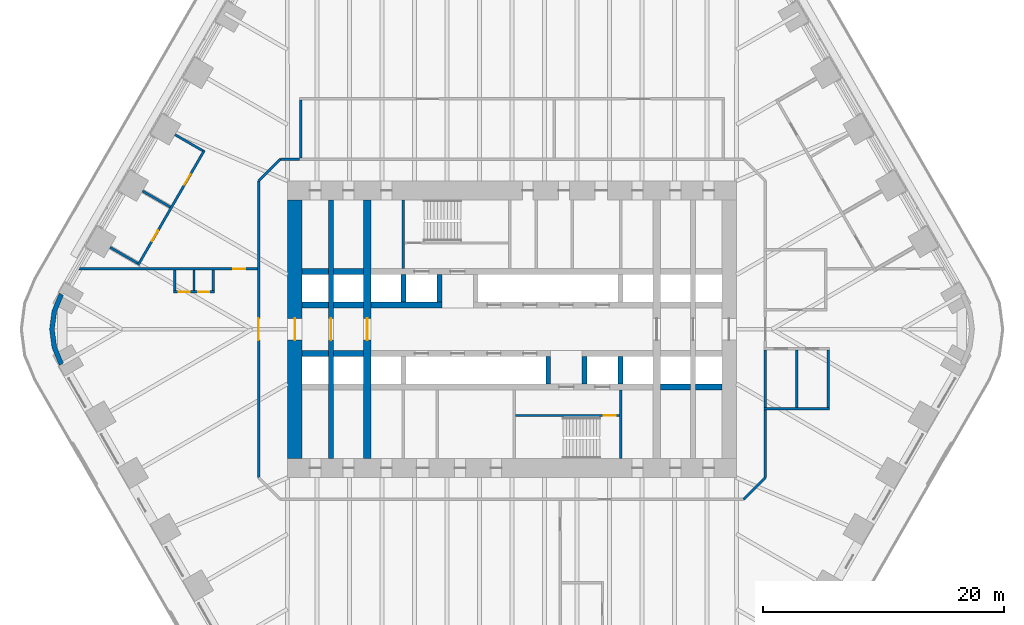
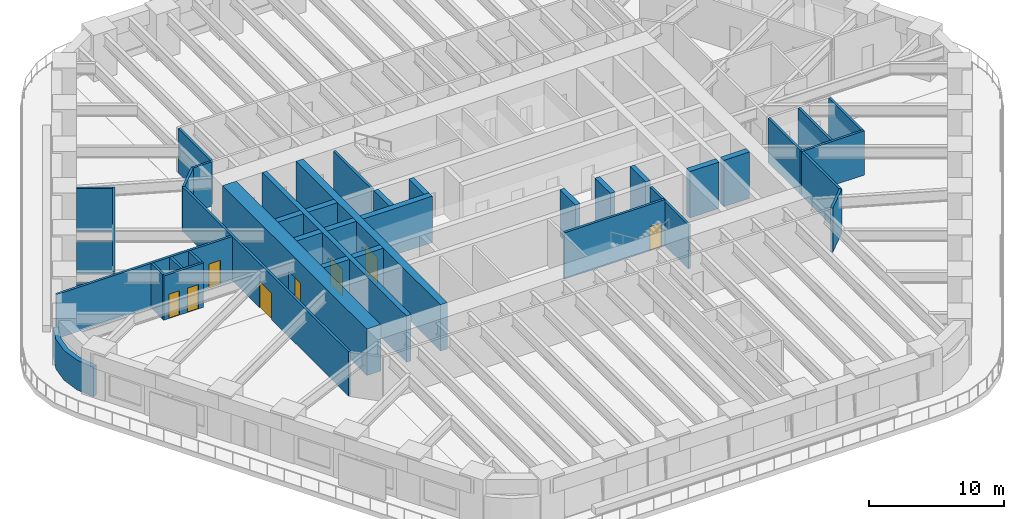
# One storey, part 17 of 23: 40 walls, 10 doors, 10 openings.
"""IFC4 building model written with IfcOpenShell, lengths in metres."""

from ifc_helpers import new_model, si_unit, direction, frame, frame_2d, origin, place, context, subcontext, project, spatial, polyline, rectangle, outline, extrude, material, layer, layer_set, type_object, element, fill, save


model = new_model("IFC4")

# Units and contexts
model_context = context("Model", 3, precision=1e-05, world=origin(), true_north=direction((0.0, 1.0)))
body_context = subcontext(model_context, "Body", "Model", "MODEL_VIEW")
ifc_project = project(units=[si_unit("LENGTHUNIT", "METRE"), si_unit("AREAUNIT", "SQUARE_METRE"), si_unit("VOLUMEUNIT", "CUBIC_METRE"), si_unit("PLANEANGLEUNIT", "RADIAN"), si_unit("MASSUNIT", "GRAM", prefix="KILO")], contexts=[model_context])

# Site, building, storey
site_placement = place(None, origin())
site = spatial("IfcSite", under=ifc_project, at=site_placement, CompositionType="ELEMENT")
building_placement = place(site_placement, origin())
building = spatial("IfcBuilding", under=site, at=building_placement, Name="Tarfa Lantern Tower", CompositionType="ELEMENT")
storey_placement = place(building_placement, frame((0.0, 0.0, 44.5)))
storey = spatial("IfcBuildingStorey", under=building, at=storey_placement, Name="L09", CompositionType="ELEMENT", Elevation=44.5)

# Walls
ifc_material_1 = material(Name="Limestone cladding on blockwork", Category="masonry")
ifc_layer_1 = layer(ifc_material_1, 0.39990234375)
ifc_layer_set_1 = layer_set([ifc_layer_1], Name="EW2 CURVED STONE CORNER 400")
wall_type_1 = type_object("IfcWallType", Name="EW2 CURVED STONE CORNER 400", PredefinedType="SOLIDWALL", material=ifc_layer_set_1)
wall_1_placement = place(storey_placement, origin())
element("IfcWall", 1, at=wall_1_placement, inside=storey, type_object=wall_type_1, Name="Stone corner NW-SW", PredefinedType="SOLIDWALL", context=body_context, shape_type="SweptSolid", body=[
    extrude(outline(polyline([(-37.52783203125, 3.0), (-38.127197265625, 1.552978515625), (-38.33154296875, 0.0), (-38.127197265625, -1.552978515625), (-37.52783203125, -3.0), (-37.181396484375, -2.800048828125), (-37.74072265625, -1.449462890625), (-37.931640625, 0.0), (-37.74072265625, 1.449462890625), (-37.181396484375, 2.800048828125), (-37.52783203125, 3.0)])), origin(), (0.0, 0.0, 1.0), 2.699951171875),
])
ifc_material_2 = material(Name="Concrete blockwork", Category="masonry")
ifc_layer_2 = layer(ifc_material_2, 0.199951171875)
ifc_layer_set_2 = layer_set([ifc_layer_2], Name="IW1 BLOCKWORK PARTITION 200 EI 120")
wall_type_2 = type_object("IfcWallType", Name="IW1 BLOCKWORK PARTITION 200 EI 120", PredefinedType="PARTITIONING", material=ifc_layer_set_2)
for number, where, z_axis, x_axis, name in (
    (2, (-9.0, 5.050048828125, 0.0), (0.0, 0.0, 1.0), (0.0, 1.0, 0.0), "Core partition"),
    (3, (9.0, -5.050048828125, 0.0), (0.0, 0.0, 1.0), (0.0, -1.0, 0.0), "Core partition"),
):
    element("IfcWall", number, at=place(storey_placement, frame(where, z_axis=z_axis, x_axis=x_axis)), inside=storey, type_object=wall_type_2, Name=name, PredefinedType="PARTITIONING", context=body_context, shape_type="SweptSolid", body=[
        extrude(rectangle(XDim=5.64990234375, YDim=0.199951171875, at=frame_2d((2.824951171875, 0.0))), origin(), (0.0, 0.0, 1.0), 4.0),
    ])
ifc_material_3 = material(Name="Gypsum board on steel studs", Category="steel")
ifc_layer_3 = layer(ifc_material_3, 0.2099609375)
ifc_layer_set_3 = layer_set([ifc_layer_3], Name="IW2 ACOUSTIC PARTITION 200")
wall_type_3 = type_object("IfcWallType", Name="IW2 ACOUSTIC PARTITION 200", PredefinedType="PARTITIONING", material=ifc_layer_set_3)
wall_2_placement = place(storey_placement, frame((-17.5, 14.199951171875, 0.0), z_axis=(0.0, 0.0, 1.0), x_axis=(0.0, 1.0, 0.0)))
element("IfcWall", 4, at=wall_2_placement, inside=storey, type_object=wall_type_3, Name="Partition", PredefinedType="PARTITIONING", context=body_context, shape_type="SweptSolid", body=[
    extrude(rectangle(XDim=4.800048828125, YDim=0.199951171875, at=frame_2d((2.39990234375, 0.0))), origin(), (0.0, 0.0, 1.0), 4.0),
])

# Wall, openings, doors
wall_3_placement = place(storey_placement, frame((-25.497802734375, 14.836669921875, 0.0), z_axis=(0.0, 0.0, 1.0), x_axis=(-0.499992624997, -0.866029661703, 0.0)))
wall_3 = element("IfcWall", 5, at=wall_3_placement, inside=storey, type_object=wall_type_3, Name="Partition", PredefinedType="PARTITIONING", context=body_context, shape_type="SweptSolid", body=[
    extrude(rectangle(XDim=10.977294921875, YDim=0.199951171875, at=frame_2d((5.48876953125, 0.0))), origin(), (0.0, 0.0, 1.0), 4.0),
])
opening_1_placement = place(wall_3_placement, frame((2.294189453125, 0.0, 0.0)))
opening_1 = element("IfcOpeningElement", 6, at=opening_1_placement, cuts=wall_3, Name="Opening D35", PredefinedType="OPENING", context=body_context, shape_type="SweptSolid", body=[
    extrude(rectangle(XDim=1.0, YDim=2.199951171875, at=frame_2d((0.5, 1.10009765625))), frame((0.0, 0.10986328125, 0.0), z_axis=(0.0, -1.0, 0.0), x_axis=(1.0, 0.0, 0.0)), (0.0, 0.0, 1.0), 0.219970703125),
])
opening_2_placement = place(wall_3_placement, frame((7.682861328125, 0.0, 0.0)))
opening_2 = element("IfcOpeningElement", 7, at=opening_2_placement, cuts=wall_3, Name="Opening D36", PredefinedType="OPENING", context=body_context, shape_type="SweptSolid", body=[
    extrude(rectangle(XDim=1.0, YDim=2.199951171875, at=frame_2d((0.5, 1.10009765625))), frame((0.0, 0.10986328125, 0.0), z_axis=(0.0, -1.0, 0.0), x_axis=(1.0, 0.0, 0.0)), (0.0, 0.0, 1.0), 0.219970703125),
])
ifc_material_4 = material(Name="Timber door", Category="wood")
door_type_1 = type_object("IfcDoorType", Name="DR1 ROOM DOOR 1000x2200", OperationType="SINGLE_SWING_LEFT", PredefinedType="DOOR", material=ifc_material_4)
door_1_placement = place(opening_1_placement, frame((1.0, 0.0, 0.0), z_axis=(0.0, 0.0, 1.0), x_axis=(-1.0, 0.0, 0.0)))
door_1 = element("IfcDoor", 8, at=door_1_placement, inside=storey, type_object=door_type_1, Name="Store door", OperationType="SINGLE_SWING_LEFT", OverallHeight=2.199951171875, OverallWidth=1.0, PredefinedType="DOOR", context=body_context, shape_type="SweptSolid", body=[
    extrude(rectangle(XDim=1.0, YDim=2.199951171875, at=frame_2d((0.5, 1.10009765625))), frame((0.0, 0.02490234375, 0.0), z_axis=(0.0, -1.0, 0.0), x_axis=(1.0, 0.0, 0.0)), (0.0, 0.0, 1.0), 0.050048828125),
])
fill(opening_1, door_1)
door_2_placement = place(opening_2_placement, frame((1.0, 0.0, 0.0), z_axis=(0.0, 0.0, 1.0), x_axis=(-1.0, 0.0, 0.0)))
door_2 = element("IfcDoor", 9, at=door_2_placement, inside=storey, type_object=door_type_1, Name="Print room door", OperationType="SINGLE_SWING_RIGHT", OverallHeight=2.199951171875, OverallWidth=1.0, PredefinedType="DOOR", context=body_context, shape_type="SweptSolid", body=[
    extrude(rectangle(XDim=1.0, YDim=2.199951171875, at=frame_2d((0.5, 1.10009765625))), frame((0.0, 0.02490234375, 0.0), z_axis=(0.0, -1.0, 0.0), x_axis=(1.0, 0.0, 0.0)), (0.0, 0.0, 1.0), 0.050048828125),
])
fill(opening_2, door_2)

# Walls
wall_4_placement = place(storey_placement, frame((-25.63427734375, 14.800048828125, 0.0), z_axis=(0.0, 0.0, 1.0), x_axis=(-0.866029095148, 0.499993606316, 0.0)))
element("IfcWall", 10, at=wall_4_placement, inside=storey, type_object=wall_type_3, Name="Partition", PredefinedType="PARTITIONING", context=body_context, shape_type="SweptSolid", body=[
    extrude(rectangle(XDim=2.64990234375, YDim=0.199951171875, at=frame_2d((1.324951171875, 0.0))), origin(), (0.0, 0.0, 1.0), 4.0),
])
wall_5_placement = place(storey_placement, frame((-28.32861328125, 10.13330078125, 0.0), z_axis=(0.0, 0.0, 1.0), x_axis=(-0.866029095148, 0.499993606316, 0.0)))
element("IfcWall", 11, at=wall_5_placement, inside=storey, type_object=wall_type_3, Name="Partition", PredefinedType="PARTITIONING", context=body_context, shape_type="SweptSolid", body=[
    extrude(rectangle(XDim=2.64990234375, YDim=0.199951171875, at=frame_2d((1.324951171875, 0.0))), origin(), (0.0, 0.0, 1.0), 2.944091796875),
])
wall_6_placement = place(storey_placement, frame((-31.02294921875, 5.466552734375, 0.0), z_axis=(0.0, 0.0, 1.0), x_axis=(-0.865989200783, 0.500062700197, 0.0)))
element("IfcWall", 12, at=wall_6_placement, inside=storey, type_object=wall_type_3, Name="Partition", PredefinedType="PARTITIONING", context=body_context, shape_type="SweptSolid", body=[
    extrude(rectangle(XDim=2.650146484375, YDim=0.199951171875, at=frame_2d((1.3251953125, 0.0))), origin(), (0.0, 0.0, 1.0), 2.944091796875),
])
wall_7_placement = place(storey_placement, frame((20.89990234375, -6.60009765625, 0.0), z_axis=(0.0, 0.0, 1.0), x_axis=(1.0, 0.0, 0.0)))
element("IfcWall", 13, at=wall_7_placement, inside=storey, type_object=wall_type_3, Name="Partition", PredefinedType="PARTITIONING", context=body_context, shape_type="SweptSolid", body=[
    extrude(rectangle(XDim=5.400146484375, YDim=0.199951171875, at=frame_2d((2.7001953125, 0.0))), origin(), (0.0, 0.0, 1.0), 4.0),
])
for number, where, z_axis, x_axis, name in (
    (14, (21.0, -1.699951171875, 0.0), (0.0, 0.0, 1.0), (0.0, -1.0, 0.0), "Partition"),
    (15, (23.60009765625, -1.699951171875, 0.0), (0.0, 0.0, 1.0), (0.0, -1.0, 0.0), "Partition"),
    (16, (26.199951171875, -1.699951171875, 0.0), (0.0, 0.0, 1.0), (0.0, -1.0, 0.0), "Partition"),
):
    element("IfcWall", number, at=place(storey_placement, frame(where, z_axis=z_axis, x_axis=x_axis)), inside=storey, type_object=wall_type_3, Name=name, PredefinedType="PARTITIONING", context=body_context, shape_type="SweptSolid", body=[
        extrude(rectangle(XDim=4.800048828125, YDim=0.199951171875, at=frame_2d((2.39990234375, 0.0))), origin(), (0.0, 0.0, 1.0), 4.0),
    ])
wall_8_placement = place(storey_placement, frame((-19.199951171875, 14.10009765625, 0.0), z_axis=(0.0, 0.0, 1.0), x_axis=(1.0, 0.0, 0.0)))
element("IfcWall", 17, at=wall_8_placement, inside=storey, type_object=wall_type_3, Name="Partition", PredefinedType="PARTITIONING", context=body_context, shape_type="SweptSolid", body=[
    extrude(rectangle(XDim=1.599853515625, YDim=0.199951171875, at=frame_2d((0.7998046875, 0.0))), origin(), (0.0, 0.0, 1.0), 4.0),
])
wall_9_placement = place(storey_placement, frame((21.0, -6.700927734375, 0.0), z_axis=(0.0, 0.0, 1.0), x_axis=(0.0, -1.0, 0.0)))
element("IfcWall", 18, at=wall_9_placement, inside=storey, type_object=wall_type_3, Name="Partition", PredefinedType="PARTITIONING", context=body_context, shape_type="SweptSolid", body=[
    extrude(rectangle(XDim=5.59912109375, YDim=0.199951171875, at=frame_2d((2.799560546875, 0.0))), origin(), (0.0, 0.0, 1.0), 4.0),
])
wall_10_placement = place(storey_placement, frame((21.0, -12.300048828125, 0.0), z_axis=(0.0, 0.0, 1.0), x_axis=(-0.707106781187, -0.707106781187, 0.0)))
element("IfcWall", 19, at=wall_10_placement, inside=storey, type_object=wall_type_3, Name="Partition", PredefinedType="PARTITIONING", context=body_context, shape_type="SweptSolid", body=[
    extrude(rectangle(XDim=2.545654296875, YDim=0.199951171875, at=frame_2d((1.27294921875, 0.0))), origin(), (0.0, 0.0, 1.0), 4.0),
])

# Wall, opening, door
wall_11_placement = place(storey_placement, frame((-21.0, -12.300048828125, 0.0), z_axis=(0.0, 0.0, 1.0), x_axis=(0.0, 1.0, 0.0)))
wall_11 = element("IfcWall", 20, at=wall_11_placement, inside=storey, type_object=wall_type_3, Name="Partition", PredefinedType="PARTITIONING", context=body_context, shape_type="SweptSolid", body=[
    extrude(rectangle(XDim=24.60009765625, YDim=0.199951171875, at=frame_2d((12.300048828125, 0.0))), origin(), (0.0, 0.0, 1.0), 4.0),
])
opening_3_placement = place(wall_11_placement, frame((11.39990234375, 0.0, 0.0)))
opening_3 = element("IfcOpeningElement", 21, at=opening_3_placement, cuts=wall_11, Name="Opening D45", PredefinedType="OPENING", context=body_context, shape_type="SweptSolid", body=[
    extrude(rectangle(XDim=1.800048828125, YDim=2.39990234375, at=frame_2d((0.89990234375, 1.199951171875))), frame((0.0, 0.10986328125, 0.0), z_axis=(0.0, -1.0, 0.0), x_axis=(1.0, 0.0, 0.0)), (0.0, 0.0, 1.0), 0.219970703125),
])
door_type_2 = type_object("IfcDoorType", Name="DR2 ROOM DOOR 1800x2400", OperationType="DOUBLE_DOOR_SINGLE_SWING", PredefinedType="DOOR", material=ifc_material_4)
door_3_placement = place(opening_3_placement, origin())
door_3 = element("IfcDoor", 22, at=door_3_placement, inside=storey, type_object=door_type_2, Name="Corridor door", OperationType="DOUBLE_DOOR_SINGLE_SWING", OverallHeight=2.39990234375, OverallWidth=1.800048828125, PredefinedType="DOOR", context=body_context, shape_type="SweptSolid", body=[
    extrude(rectangle(XDim=1.800048828125, YDim=2.39990234375, at=frame_2d((0.89990234375, 1.199951171875))), frame((0.0, 0.02490234375, 0.0), z_axis=(0.0, -1.0, 0.0), x_axis=(1.0, 0.0, 0.0)), (0.0, 0.0, 1.0), 0.050048828125),
])
fill(opening_3, door_3)

# Wall
wall_12_placement = place(storey_placement, frame((-21.0, 12.300048828125, 0.0), z_axis=(0.0, 0.0, 1.0), x_axis=(0.707106781187, 0.707106781187, 0.0)))
element("IfcWall", 23, at=wall_12_placement, inside=storey, type_object=wall_type_3, Name="Partition", PredefinedType="PARTITIONING", context=body_context, shape_type="SweptSolid", body=[
    extrude(rectangle(XDim=2.545654296875, YDim=0.199951171875, at=frame_2d((1.27294921875, 0.0))), origin(), (0.0, 0.0, 1.0), 4.0),
])

# Wall, opening, door
wall_13_placement = place(storey_placement, frame((-21.10009765625, 5.0, 0.0), z_axis=(0.0, 0.0, 1.0), x_axis=(-1.0, 0.0, 0.0)))
wall_13 = element("IfcWall", 24, at=wall_13_placement, inside=storey, type_object=wall_type_3, Name="Partition", PredefinedType="PARTITIONING", context=body_context, shape_type="SweptSolid", body=[
    extrude(rectangle(XDim=15.018798828125, YDim=0.199951171875, at=frame_2d((7.50927734375, 0.0))), origin(), (0.0, 0.0, 1.0), 4.0),
])
opening_4_placement = place(wall_13_placement, frame((1.001953125, 0.0, 0.0)))
opening_4 = element("IfcOpeningElement", 25, at=opening_4_placement, cuts=wall_13, Name="Opening D48", PredefinedType="OPENING", context=body_context, shape_type="SweptSolid", body=[
    extrude(rectangle(XDim=1.0, YDim=2.199951171875, at=frame_2d((0.5, 1.10009765625))), frame((0.0, 0.10986328125, 0.0), z_axis=(0.0, -1.0, 0.0), x_axis=(1.0, 0.0, 0.0)), (0.0, 0.0, 1.0), 0.219970703125),
])
door_4_placement = place(opening_4_placement, origin())
door_4 = element("IfcDoor", 26, at=door_4_placement, inside=storey, type_object=door_type_1, Name="Zone door", OperationType="SINGLE_SWING_RIGHT", OverallHeight=2.199951171875, OverallWidth=1.0, PredefinedType="DOOR", context=body_context, shape_type="SweptSolid", body=[
    extrude(rectangle(XDim=1.0, YDim=2.199951171875, at=frame_2d((0.5, 1.10009765625))), frame((0.0, 0.02490234375, 0.0), z_axis=(0.0, -1.0, 0.0), x_axis=(1.0, 0.0, 0.0)), (0.0, 0.0, 1.0), 0.050048828125),
])
fill(opening_4, door_4)

# Wall, openings, doors
wall_14_placement = place(storey_placement, frame((-24.65673828125, 3.10009765625, 0.0), z_axis=(0.0, 0.0, 1.0), x_axis=(-1.0, 0.0, 0.0)))
wall_14 = element("IfcWall", 27, at=wall_14_placement, inside=storey, type_object=wall_type_3, Name="Partition", PredefinedType="PARTITIONING", context=body_context, shape_type="SweptSolid", body=[
    extrude(rectangle(XDim=3.39990234375, YDim=0.199951171875, at=frame_2d((1.699951171875, 0.0))), origin(), (0.0, 0.0, 1.0), 4.0),
])
opening_5_placement = place(wall_14_placement, frame((0.449951171875, 0.0, 0.0)))
opening_5 = element("IfcOpeningElement", 28, at=opening_5_placement, cuts=wall_14, Name="Opening D41", PredefinedType="OPENING", context=body_context, shape_type="SweptSolid", body=[
    extrude(rectangle(XDim=0.89990234375, YDim=2.199951171875, at=frame_2d((0.449951171875, 1.10009765625))), frame((0.0, 0.10986328125, 0.0), z_axis=(0.0, -1.0, 0.0), x_axis=(1.0, 0.0, 0.0)), (0.0, 0.0, 1.0), 0.219970703125),
])
opening_6_placement = place(wall_14_placement, frame((2.050048828125, 0.0, 0.0)))
opening_6 = element("IfcOpeningElement", 29, at=opening_6_placement, cuts=wall_14, Name="Opening D42", PredefinedType="OPENING", context=body_context, shape_type="SweptSolid", body=[
    extrude(rectangle(XDim=0.89990234375, YDim=2.199951171875, at=frame_2d((0.449951171875, 1.10009765625))), frame((0.0, 0.10986328125, 0.0), z_axis=(0.0, -1.0, 0.0), x_axis=(1.0, 0.0, 0.0)), (0.0, 0.0, 1.0), 0.219970703125),
])
door_type_3 = type_object("IfcDoorType", Name="DR3 ROOM DOOR 900x2200", OperationType="SINGLE_SWING_LEFT", PredefinedType="DOOR", material=ifc_material_4)
door_5_placement = place(opening_5_placement, frame((0.89990234375, 0.0, 0.0), z_axis=(0.0, 0.0, 1.0), x_axis=(-1.0, 0.0, 0.0)))
door_5 = element("IfcDoor", 30, at=door_5_placement, inside=storey, type_object=door_type_3, Name="Phone booth door", OperationType="SINGLE_SWING_LEFT", OverallHeight=2.199951171875, OverallWidth=0.89990234375, PredefinedType="DOOR", context=body_context, shape_type="SweptSolid", body=[
    extrude(rectangle(XDim=0.89990234375, YDim=2.199951171875, at=frame_2d((0.449951171875, 1.10009765625))), frame((0.0, 0.02490234375, 0.0), z_axis=(0.0, -1.0, 0.0), x_axis=(1.0, 0.0, 0.0)), (0.0, 0.0, 1.0), 0.050048828125),
])
fill(opening_5, door_5)
door_6_placement = place(opening_6_placement, frame((0.89990234375, 0.0, 0.0), z_axis=(0.0, 0.0, 1.0), x_axis=(-1.0, 0.0, 0.0)))
door_6 = element("IfcDoor", 31, at=door_6_placement, inside=storey, type_object=door_type_3, Name="Phone booth door", OperationType="SINGLE_SWING_RIGHT", OverallHeight=2.199951171875, OverallWidth=0.89990234375, PredefinedType="DOOR", context=body_context, shape_type="SweptSolid", body=[
    extrude(rectangle(XDim=0.89990234375, YDim=2.199951171875, at=frame_2d((0.449951171875, 1.10009765625))), frame((0.0, 0.02490234375, 0.0), z_axis=(0.0, -1.0, 0.0), x_axis=(1.0, 0.0, 0.0)), (0.0, 0.0, 1.0), 0.050048828125),
])
fill(opening_6, door_6)

# Walls
for number, where, z_axis, x_axis, name in (
    (32, (-24.756591796875, 4.89990234375, 0.0), (0.0, 0.0, 1.0), (0.0, -1.0, 0.0), "Partition"),
    (33, (-26.356689453125, 4.89990234375, 0.0), (0.0, 0.0, 1.0), (0.0, -1.0, 0.0), "Partition"),
    (34, (-27.95654296875, 4.89990234375, 0.0), (0.0, 0.0, 1.0), (0.0, -1.0, 0.0), "Partition"),
):
    element("IfcWall", number, at=place(storey_placement, frame(where, z_axis=z_axis, x_axis=x_axis)), inside=storey, type_object=wall_type_3, Name=name, PredefinedType="PARTITIONING", context=body_context, shape_type="SweptSolid", body=[
        extrude(rectangle(XDim=1.699951171875, YDim=0.199951171875, at=frame_2d((0.85009765625, 0.0))), origin(), (0.0, 0.0, 1.0), 4.0),
    ])

# Wall, opening, door
ifc_material_5 = material(Name="Concrete C80/95", Category="concrete")
ifc_layer_4 = layer(ifc_material_5, 1.199951171875)
ifc_layer_set_4 = layer_set([ifc_layer_4], Name="SW1 CORE WALL 1200")
wall_type_4 = type_object("IfcWallType", Name="SW1 CORE WALL 1200", PredefinedType="SHEAR", material=ifc_layer_set_4)
wall_15_placement = place(storey_placement, frame((-18.0, 10.699951171875, 0.0), z_axis=(0.0, 0.0, 1.0), x_axis=(0.0, -1.0, 0.0)))
wall_15 = element("IfcWall", 35, at=wall_15_placement, inside=storey, type_object=wall_type_4, Name="Core wall W", PredefinedType="SHEAR", context=body_context, shape_type="SweptSolid", body=[
    extrude(rectangle(XDim=21.39990234375, YDim=1.199951171875, at=frame_2d((10.699951171875, 0.0))), origin(), (0.0, 0.0, 1.0), 4.199951171875),
])
opening_7_placement = place(wall_15_placement, frame((9.800048828125, 0.0, 0.0)))
opening_7 = element("IfcOpeningElement", 36, at=opening_7_placement, cuts=wall_15, Name="Opening D16", PredefinedType="OPENING", context=body_context, shape_type="SweptSolid", body=[
    extrude(rectangle(XDim=1.800048828125, YDim=2.39990234375, at=frame_2d((0.89990234375, 1.199951171875))), frame((0.0, 0.60986328125, 0.0), z_axis=(0.0, -1.0, 0.0), x_axis=(1.0, 0.0, 0.0)), (0.0, 0.0, 1.0), 1.219970703125),
])
ifc_material_6 = material(Name="Steel fire door", Category="steel")
door_type_4 = type_object("IfcDoorType", Name="DL1 LOBBY DOOR 1800x2400", OperationType="DOUBLE_DOOR_SINGLE_SWING", PredefinedType="DOOR", material=ifc_material_6)
door_7_placement = place(opening_7_placement, frame((1.800048828125, 0.0, 0.0), z_axis=(0.0, 0.0, 1.0), x_axis=(-1.0, 0.0, 0.0)))
door_7 = element("IfcDoor", 37, at=door_7_placement, inside=storey, type_object=door_type_4, Name="Lift lobby door", OperationType="DOUBLE_DOOR_SINGLE_SWING", OverallHeight=2.39990234375, OverallWidth=1.800048828125, PredefinedType="DOOR", context=body_context, shape_type="SweptSolid", body=[
    extrude(rectangle(XDim=1.800048828125, YDim=2.39990234375, at=frame_2d((0.89990234375, 1.199951171875))), frame((0.0, 0.02490234375, 0.0), z_axis=(0.0, -1.0, 0.0), x_axis=(1.0, 0.0, 0.0)), (0.0, 0.0, 1.0), 0.050048828125),
])
fill(opening_7, door_7)

ifc_layer_5 = layer(ifc_material_5, 0.199951171875)
ifc_layer_set_5 = layer_set([ifc_layer_5], Name="SW12 CORE WALL 200")
wall_type_5 = type_object("IfcWallType", Name="SW12 CORE WALL 200", PredefinedType="SHEAR", material=ifc_layer_set_5)
wall_16_placement = place(storey_placement, frame((8.89990234375, -7.14990234375, 0.0), z_axis=(0.0, 0.0, 1.0), x_axis=(-1.0, 0.0, 0.0)))
wall_16 = element("IfcWall", 38, at=wall_16_placement, inside=storey, type_object=wall_type_5, Name="Core wall stair partition S", PredefinedType="SHEAR", context=body_context, shape_type="SweptSolid", body=[
    extrude(rectangle(XDim=8.599853515625, YDim=0.199951171875, at=frame_2d((4.2998046875, 0.0))), origin(), (0.0, 0.0, 1.0), 4.199951171875),
])
opening_8_placement = place(wall_16_placement, frame((0.300048828125, 0.0, 0.0)))
opening_8 = element("IfcOpeningElement", 39, at=opening_8_placement, cuts=wall_16, Name="Opening D24", PredefinedType="OPENING", context=body_context, shape_type="SweptSolid", body=[
    extrude(rectangle(XDim=1.0, YDim=2.199951171875, at=frame_2d((0.5, 1.10009765625))), frame((0.0, 0.10986328125, 0.0), z_axis=(0.0, -1.0, 0.0), x_axis=(1.0, 0.0, 0.0)), (0.0, 0.0, 1.0), 0.219970703125),
])
door_type_5 = type_object("IfcDoorType", Name="DF2 STAIR DOOR 1000x2200", OperationType="SINGLE_SWING_LEFT", PredefinedType="DOOR", material=ifc_material_6)
door_8_placement = place(opening_8_placement, origin())
door_8 = element("IfcDoor", 40, at=door_8_placement, inside=storey, type_object=door_type_5, Name="Stair door", OperationType="SINGLE_SWING_RIGHT", OverallHeight=2.199951171875, OverallWidth=1.0, PredefinedType="DOOR", context=body_context, shape_type="SweptSolid", body=[
    extrude(rectangle(XDim=1.0, YDim=2.199951171875, at=frame_2d((0.5, 1.10009765625))), frame((0.0, 0.02490234375, 0.0), z_axis=(0.0, -1.0, 0.0), x_axis=(1.0, 0.0, 0.0)), (0.0, 0.0, 1.0), 0.050048828125),
])
fill(opening_8, door_8)

# Walls
ifc_layer_6 = layer(ifc_material_5, 0.5)
ifc_layer_set_6 = layer_set([ifc_layer_6], Name="SW5 CORE WALL 500")
wall_type_6 = type_object("IfcWallType", Name="SW5 CORE WALL 500", PredefinedType="SHEAR", material=ifc_layer_set_6)
wall_17_placement = place(storey_placement, frame((-17.39990234375, 2.0, 0.0), z_axis=(0.0, 0.0, 1.0), x_axis=(1.0, 0.0, 0.0)))
element("IfcWall", 41, at=wall_17_placement, inside=storey, type_object=wall_type_6, Name="Core wall lobby west N", PredefinedType="SHEAR", context=body_context, shape_type="SweptSolid", body=[
    extrude(rectangle(XDim=2.199951171875, YDim=0.5, at=frame_2d((1.10009765625, 0.0))), origin(), (0.0, 0.0, 1.0), 4.199951171875),
])
wall_18_placement = place(storey_placement, frame((-14.800048828125, 2.0, 0.0), z_axis=(0.0, 0.0, 1.0), x_axis=(1.0, 0.0, 0.0)))
element("IfcWall", 42, at=wall_18_placement, inside=storey, type_object=wall_type_6, Name="Core wall lobby west N", PredefinedType="SHEAR", context=body_context, shape_type="SweptSolid", body=[
    extrude(rectangle(XDim=2.5, YDim=0.5, at=frame_2d((1.25, 0.0))), origin(), (0.0, 0.0, 1.0), 4.199951171875),
])
wall_19_placement = place(storey_placement, frame((-11.699951171875, 2.0, 0.0), z_axis=(0.0, 0.0, 1.0), x_axis=(1.0, 0.0, 0.0)))
element("IfcWall", 43, at=wall_19_placement, inside=storey, type_object=wall_type_6, Name="Core wall lobby west N", PredefinedType="SHEAR", context=body_context, shape_type="SweptSolid", body=[
    extrude(rectangle(XDim=5.89990234375, YDim=0.5, at=frame_2d((2.949951171875, 0.0))), origin(), (0.0, 0.0, 1.0), 4.199951171875),
])
wall_20_placement = place(storey_placement, frame((-17.39990234375, 4.800048828125, 0.0), z_axis=(0.0, 0.0, 1.0), x_axis=(1.0, 0.0, 0.0)))
element("IfcWall", 44, at=wall_20_placement, inside=storey, type_object=wall_type_6, Name="Core wall rear N", PredefinedType="SHEAR", context=body_context, shape_type="SweptSolid", body=[
    extrude(rectangle(XDim=2.199951171875, YDim=0.5, at=frame_2d((1.10009765625, 0.0))), origin(), (0.0, 0.0, 1.0), 4.199951171875),
])
for number, where, z_axis, x_axis, name in (
    (45, (-14.800048828125, 4.800048828125, 0.0), (0.0, 0.0, 1.0), (1.0, 0.0, 0.0), "Core wall rear N"),
    (46, (-12.300048828125, -2.0, 0.0), (0.0, 0.0, 1.0), (-1.0, 0.0, 0.0), "Core wall lobby east S"),
):
    element("IfcWall", number, at=place(storey_placement, frame(where, z_axis=z_axis, x_axis=x_axis)), inside=storey, type_object=wall_type_6, Name=name, PredefinedType="SHEAR", context=body_context, shape_type="SweptSolid", body=[
        extrude(rectangle(XDim=2.5, YDim=0.5, at=frame_2d((1.25, 0.0))), origin(), (0.0, 0.0, 1.0), 4.199951171875),
    ])
for number, where, z_axis, x_axis, name in (
    (47, (-15.199951171875, -2.0, 0.0), (0.0, 0.0, 1.0), (-1.0, 0.0, 0.0), "Core wall lobby east S"),
    (48, (17.39990234375, -4.800048828125, 0.0), (0.0, 0.0, 1.0), (-1.0, 0.0, 0.0), "Core wall rear S"),
):
    element("IfcWall", number, at=place(storey_placement, frame(where, z_axis=z_axis, x_axis=x_axis)), inside=storey, type_object=wall_type_6, Name=name, PredefinedType="SHEAR", context=body_context, shape_type="SweptSolid", body=[
        extrude(rectangle(XDim=2.199951171875, YDim=0.5, at=frame_2d((1.10009765625, 0.0))), origin(), (0.0, 0.0, 1.0), 4.199951171875),
    ])
wall_21_placement = place(storey_placement, frame((14.800048828125, -4.800048828125, 0.0), z_axis=(0.0, 0.0, 1.0), x_axis=(-1.0, 0.0, 0.0)))
element("IfcWall", 49, at=wall_21_placement, inside=storey, type_object=wall_type_6, Name="Core wall rear S", PredefinedType="SHEAR", context=body_context, shape_type="SweptSolid", body=[
    extrude(rectangle(XDim=2.5, YDim=0.5, at=frame_2d((1.25, 0.0))), origin(), (0.0, 0.0, 1.0), 4.199951171875),
])

# Wall, opening, door
ifc_layer_7 = layer(ifc_material_5, 0.39990234375)
ifc_layer_set_7 = layer_set([ifc_layer_7], Name="SW6 CORE WALL 400")
wall_type_7 = type_object("IfcWallType", Name="SW6 CORE WALL 400", PredefinedType="SHEAR", material=ifc_layer_set_7)
wall_22_placement = place(storey_placement, frame((-15.0, -10.699951171875, 0.0), z_axis=(0.0, 0.0, 1.0), x_axis=(0.0, 1.0, 0.0)))
wall_22 = element("IfcWall", 50, at=wall_22_placement, inside=storey, type_object=wall_type_7, Name="Core wall cross 15 m west", PredefinedType="SHEAR", context=body_context, shape_type="SweptSolid", body=[
    extrude(rectangle(XDim=21.39990234375, YDim=0.39990234375, at=frame_2d((10.699951171875, 0.0))), origin(), (0.0, 0.0, 1.0), 4.199951171875),
])
opening_9_placement = place(wall_22_placement, frame((9.800048828125, 0.0, 0.0)))
opening_9 = element("IfcOpeningElement", 51, at=opening_9_placement, cuts=wall_22, Name="Opening D28", PredefinedType="OPENING", context=body_context, shape_type="SweptSolid", body=[
    extrude(rectangle(XDim=1.800048828125, YDim=2.39990234375, at=frame_2d((0.89990234375, 1.199951171875))), frame((0.0, 0.2099609375, 0.0), z_axis=(0.0, -1.0, 0.0), x_axis=(1.0, 0.0, 0.0)), (0.0, 0.0, 1.0), 0.419921875),
])
door_9_placement = place(opening_9_placement, origin())
door_9 = element("IfcDoor", 52, at=door_9_placement, inside=storey, type_object=door_type_4, Name="Lift lobby door", OperationType="DOUBLE_DOOR_SINGLE_SWING", OverallHeight=2.39990234375, OverallWidth=1.800048828125, PredefinedType="DOOR", context=body_context, shape_type="SweptSolid", body=[
    extrude(rectangle(XDim=1.800048828125, YDim=2.39990234375, at=frame_2d((0.89990234375, 1.199951171875))), frame((0.0, 0.02490234375, 0.0), z_axis=(0.0, -1.0, 0.0), x_axis=(1.0, 0.0, 0.0)), (0.0, 0.0, 1.0), 0.050048828125),
])
fill(opening_9, door_9)

# Walls
for number, where, z_axis, x_axis, name in (
    (53, (-9.0, 2.25, 0.0), (0.0, 0.0, 1.0), (0.0, 1.0, 0.0), "Core wall divider N"),
    (54, (-6.0, 2.25, 0.0), (0.0, 0.0, 1.0), (0.0, 1.0, 0.0), "Core wall divider N"),
    (55, (9.0, -2.25, 0.0), (0.0, 0.0, 1.0), (0.0, -1.0, 0.0), "Core wall divider S"),
    (56, (6.0, -2.25, 0.0), (0.0, 0.0, 1.0), (0.0, -1.0, 0.0), "Core wall divider S"),
    (57, (3.0, -2.25, 0.0), (0.0, 0.0, 1.0), (0.0, -1.0, 0.0), "Core wall divider S"),
):
    element("IfcWall", number, at=place(storey_placement, frame(where, z_axis=z_axis, x_axis=x_axis)), inside=storey, type_object=wall_type_7, Name=name, PredefinedType="SHEAR", context=body_context, shape_type="SweptSolid", body=[
        extrude(rectangle(XDim=2.300048828125, YDim=0.39990234375, at=frame_2d((1.14990234375, 0.0))), origin(), (0.0, 0.0, 1.0), 4.199951171875),
    ])

# Wall, opening, door
ifc_layer_8 = layer(ifc_material_5, 0.60009765625)
ifc_layer_set_8 = layer_set([ifc_layer_8], Name="SW9 CORE WALL 600")
wall_type_8 = type_object("IfcWallType", Name="SW9 CORE WALL 600", PredefinedType="SHEAR", material=ifc_layer_set_8)
wall_23_placement = place(storey_placement, frame((-12.0, -10.699951171875, 0.0), z_axis=(0.0, 0.0, 1.0), x_axis=(0.0, 1.0, 0.0)))
wall_23 = element("IfcWall", 58, at=wall_23_placement, inside=storey, type_object=wall_type_8, Name="Core wall cross 12 m west", PredefinedType="SHEAR", context=body_context, shape_type="SweptSolid", body=[
    extrude(rectangle(XDim=21.39990234375, YDim=0.60009765625, at=frame_2d((10.699951171875, 0.0))), origin(), (0.0, 0.0, 1.0), 4.199951171875),
])
opening_10_placement = place(wall_23_placement, frame((9.800048828125, 0.0, 0.0)))
opening_10 = element("IfcOpeningElement", 59, at=opening_10_placement, cuts=wall_23, Name="Opening D27", PredefinedType="OPENING", context=body_context, shape_type="SweptSolid", body=[
    extrude(rectangle(XDim=1.800048828125, YDim=2.39990234375, at=frame_2d((0.89990234375, 1.199951171875))), frame((0.0, 0.31005859375, 0.0), z_axis=(0.0, -1.0, 0.0), x_axis=(1.0, 0.0, 0.0)), (0.0, 0.0, 1.0), 0.6201171875),
])
door_10_placement = place(opening_10_placement, origin())
door_10 = element("IfcDoor", 60, at=door_10_placement, inside=storey, type_object=door_type_4, Name="Lift lobby door", OperationType="DOUBLE_DOOR_SINGLE_SWING", OverallHeight=2.39990234375, OverallWidth=1.800048828125, PredefinedType="DOOR", context=body_context, shape_type="SweptSolid", body=[
    extrude(rectangle(XDim=1.800048828125, YDim=2.39990234375, at=frame_2d((0.89990234375, 1.199951171875))), frame((0.0, 0.02490234375, 0.0), z_axis=(0.0, -1.0, 0.0), x_axis=(1.0, 0.0, 0.0)), (0.0, 0.0, 1.0), 0.050048828125),
])
fill(opening_10, door_10)

save(model, "model.ifc")
